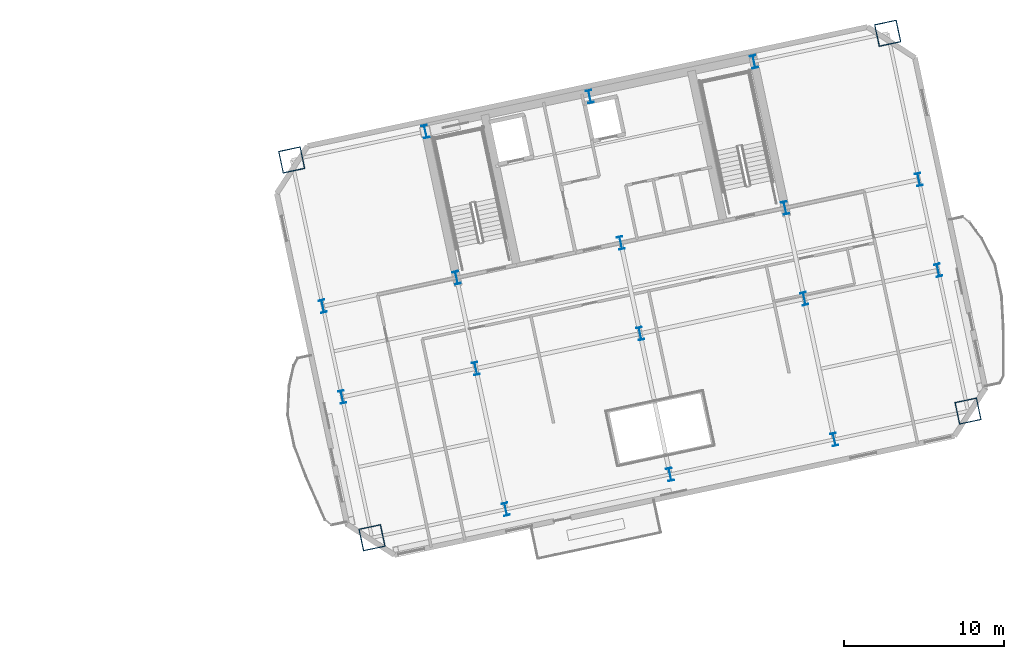
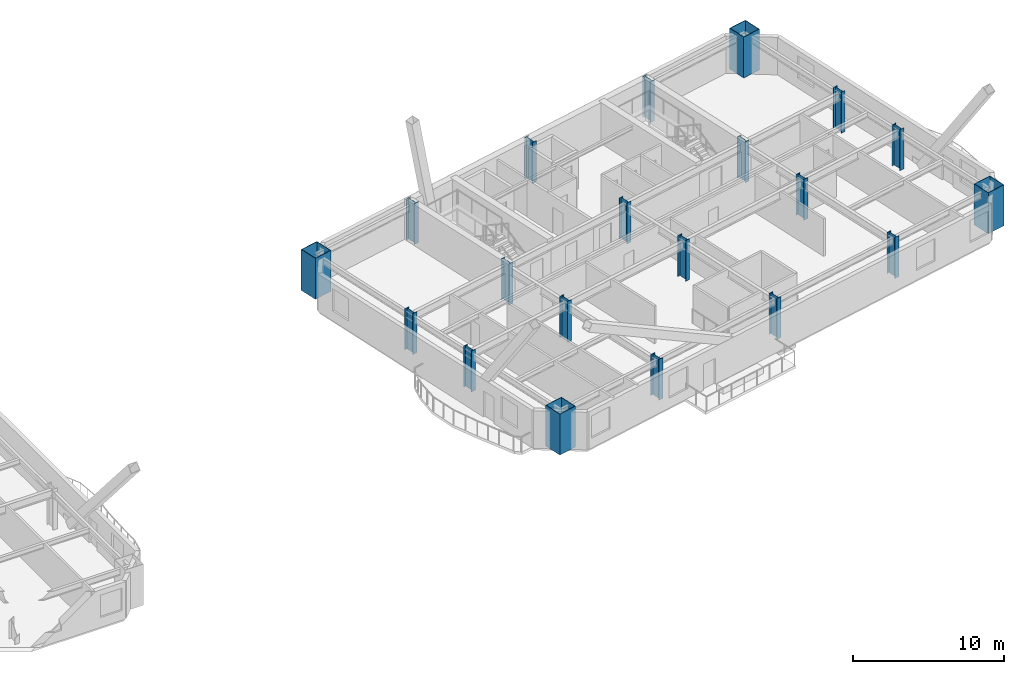
# One storey, part 2 of 15: 20 columns.
"""IFC4 building model written with IfcOpenShell, lengths in metres."""

from ifc_helpers import new_model, si_unit, direction, frame, origin, origin_2d, place, context, subcontext, project, spatial, hollow_rectangle, i_section, extrude, material, material_profile, profile_set, type_object, element, save


model = new_model("IFC4")

# Units and contexts
model_context = context("Model", 3, precision=1e-05, world=origin(), true_north=direction((0.0, 1.0)))
body_context = subcontext(model_context, "Body", "Model", "MODEL_VIEW")
ifc_project = project(units=[si_unit("LENGTHUNIT", "METRE"), si_unit("AREAUNIT", "SQUARE_METRE"), si_unit("VOLUMEUNIT", "CUBIC_METRE"), si_unit("PLANEANGLEUNIT", "RADIAN"), si_unit("MASSUNIT", "GRAM", prefix="KILO")], contexts=[model_context])

# Site, building, storey
site_placement = place(None, origin())
site = spatial("IfcSite", under=ifc_project, at=site_placement, CompositionType="ELEMENT")
building_placement = place(site_placement, origin())
building = spatial("IfcBuilding", under=site, at=building_placement, Name="Haevon Station Towers", CompositionType="ELEMENT")
storey_placement = place(building_placement, frame((0.0, 0.0, 103.199951171875)))
storey = spatial("IfcBuildingStorey", under=building, at=storey_placement, Name="L27", CompositionType="ELEMENT", Elevation=103.199951171875)

# Columns
ifc_material = material(Name="Steel S460", Category="steel")
ifc_material_profile_1 = material_profile(ifc_material, hollow_rectangle(XDim=1.39990234375, YDim=1.39990234375, WallThickness=0.035888671875, at=origin_2d()), Name="BOX-1400x1400x36")
ifc_profile_set_1 = profile_set([ifc_material_profile_1], Name="Steel S460")
column_type_1 = type_object("IfcColumnType", Name="COL-MC3", PredefinedType="COLUMN", material=ifc_profile_set_1)
for number, where, z_axis, x_axis, name in (
    (1, (93.46630859375, 21.188232421875, 0.0), (0.0, 0.0, 1.0), (0.978147600734, 0.207911690818, 0.0), "COL-T2-L27-01-01"),
    (2, (88.4453125, 44.810546875, 0.0), (0.0, 0.0, 1.0), (0.978147600734, 0.207911690818, 0.0), "COL-T2-L27-01-04"),
    (3, (130.733642578125, 29.109619140625, 0.0), (0.0, 0.0, 1.0), (0.978147600734, 0.207911690818, 0.0), "COL-T2-L27-05-01"),
    (4, (125.712646484375, 52.73193359375, 0.0), (0.0, 0.0, 1.0), (0.978147600734, 0.207911690818, 0.0), "COL-T2-L27-05-04"),
):
    element("IfcColumn", number, at=place(storey_placement, frame(where, z_axis=z_axis, x_axis=x_axis)), inside=storey, type_object=column_type_1, Name=name, PredefinedType="COLUMN", context=body_context, shape_type="SweptSolid", body=[
        extrude(hollow_rectangle(XDim=1.39990234375, YDim=1.39990234375, WallThickness=0.035888671875, at=origin_2d()), origin(), (0.0, 0.0, 1.0), 3.300048828125),
    ])
ifc_material_profile_2 = material_profile(ifc_material, i_section(OverallWidth=0.35009765625, OverallDepth=0.800048828125, WebThickness=0.01806640625, FlangeThickness=0.031982421875, at=origin_2d()), Name="H-800x350x18x32")
ifc_profile_set_2 = profile_set([ifc_material_profile_2], Name="Steel S460")
column_type_2 = type_object("IfcColumnType", Name="COL-TW2", PredefinedType="COLUMN", material=ifc_profile_set_2)
for number, where, z_axis, x_axis, name in (
    (5, (91.594970703125, 29.991455078125, 0.0), (0.0, 0.0, 1.0), (0.978147600734, 0.207911690818, 0.0), "COL-T2-L27-01-02"),
    (6, (90.38916015625, 35.664794921875, 0.0), (0.0, 0.0, 1.0), (0.978147600734, 0.207911690818, 0.0), "COL-T2-L27-01-03"),
    (7, (101.829345703125, 22.9658203125, 0.0), (0.0, 0.0, 1.0), (0.978147600734, 0.207911690818, 0.0), "COL-T2-L27-02-01"),
    (8, (99.958251953125, 31.76904296875, 0.0), (0.0, 0.0, 1.0), (0.978147600734, 0.207911690818, 0.0), "COL-T2-L27-02-02"),
    (9, (98.75244140625, 37.4423828125, 0.0), (0.0, 0.0, 1.0), (0.978147600734, 0.207911690818, 0.0), "COL-T2-L27-02-03"),
    (10, (96.808349609375, 46.588134765625, 0.0), (0.0, 0.0, 1.0), (0.978147600734, 0.207911690818, 0.0), "COL-T2-L27-02-04"),
    (11, (112.10009765625, 25.14892578125, 0.0), (0.0, 0.0, 1.0), (0.978147600734, 0.207911690818, 0.0), "COL-T2-L27-03-01"),
    (12, (110.228759765625, 33.9521484375, 0.0), (0.0, 0.0, 1.0), (0.978147600734, 0.207911690818, 0.0), "COL-T2-L27-03-02"),
    (13, (109.02294921875, 39.62548828125, 0.0), (0.0, 0.0, 1.0), (0.978147600734, 0.207911690818, 0.0), "COL-T2-L27-03-03"),
    (14, (107.078857421875, 48.771240234375, 0.0), (0.0, 0.0, 1.0), (0.978147600734, 0.207911690818, 0.0), "COL-T2-L27-03-04"),
    (15, (122.37060546875, 27.33203125, 0.0), (0.0, 0.0, 1.0), (0.978147600734, 0.207911690818, 0.0), "COL-T2-L27-04-01"),
    (16, (120.499267578125, 36.13525390625, 0.0), (0.0, 0.0, 1.0), (0.978147600734, 0.207911690818, 0.0), "COL-T2-L27-04-02"),
    (17, (119.29345703125, 41.80859375, 0.0), (0.0, 0.0, 1.0), (0.978147600734, 0.207911690818, 0.0), "COL-T2-L27-04-03"),
    (18, (117.349365234375, 50.954345703125, 0.0), (0.0, 0.0, 1.0), (0.978147600734, 0.207911690818, 0.0), "COL-T2-L27-04-04"),
    (19, (128.862548828125, 37.912841796875, 0.0), (0.0, 0.0, 1.0), (0.978147600734, 0.207911690818, 0.0), "COL-T2-L27-05-02"),
    (20, (127.656494140625, 43.586181640625, 0.0), (0.0, 0.0, 1.0), (0.978147600734, 0.207911690818, 0.0), "COL-T2-L27-05-03"),
):
    element("IfcColumn", number, at=place(storey_placement, frame(where, z_axis=z_axis, x_axis=x_axis)), inside=storey, type_object=column_type_2, Name=name, PredefinedType="COLUMN", context=body_context, shape_type="SweptSolid", body=[
        extrude(i_section(OverallWidth=0.35009765625, OverallDepth=0.800048828125, WebThickness=0.01806640625, FlangeThickness=0.031982421875, at=origin_2d()), origin(), (0.0, 0.0, 1.0), 3.300048828125),
    ])

save(model, "model.ifc")
